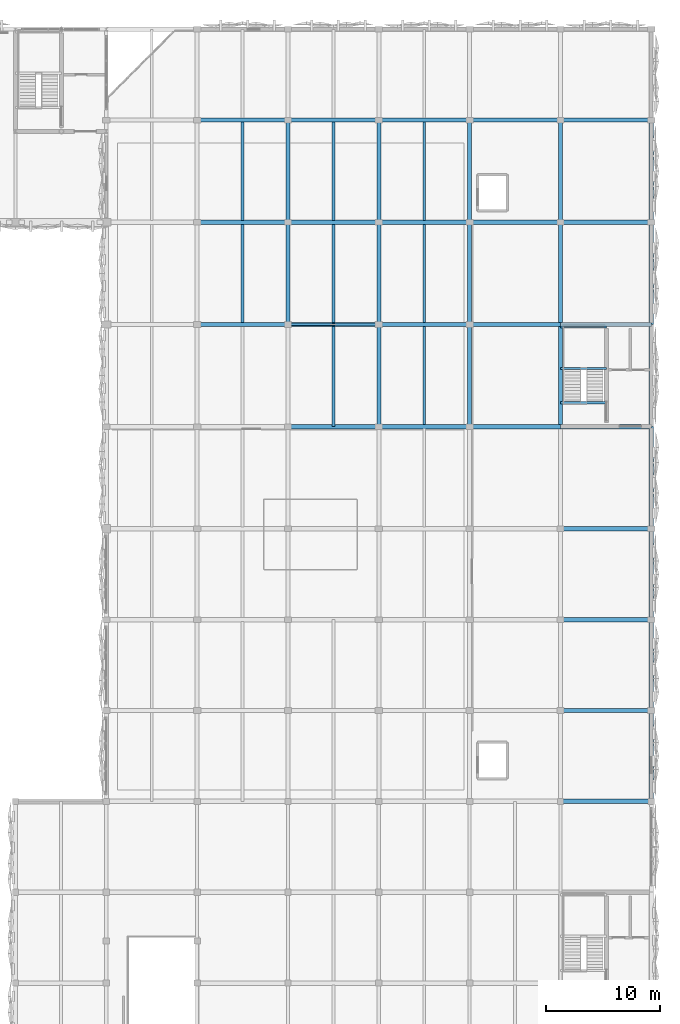
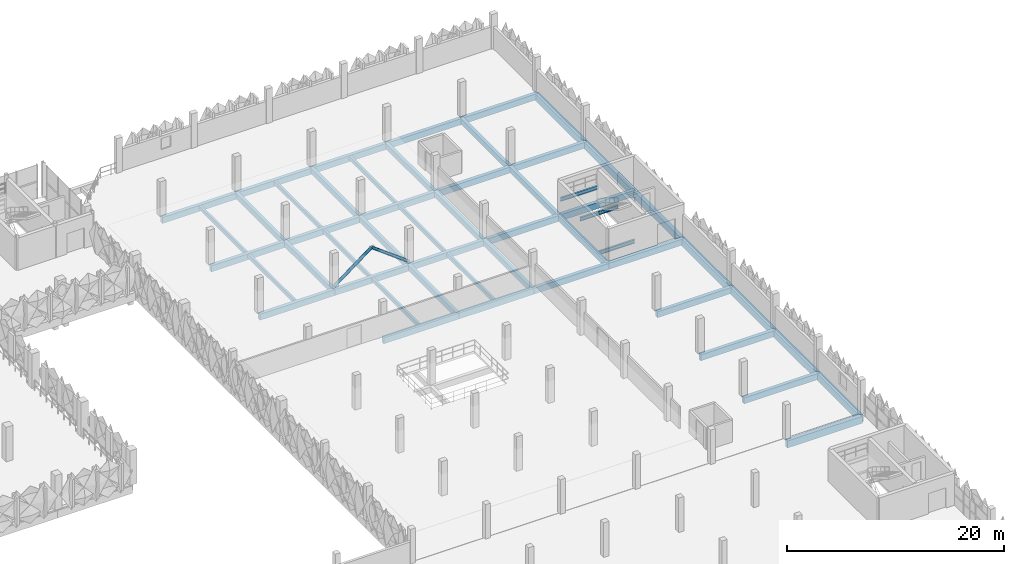
# One storey, part 25 of 83: 52 beams, 2 members.
"""IFC4 building model written with IfcOpenShell, lengths in metres."""

from ifc_helpers import new_model, si_unit, derived_unit, direction, frame, origin, origin_2d, place, context, subcontext, project, spatial, rectangle, hollow_circle, i_section, extrude, material, material_profile, profile_set, type_object, element, save


model = new_model("IFC4")

# Units and contexts
model_context = context("Model", 3, precision=1e-05, world=origin(), true_north=direction((0.0, 1.0)))
body_context = subcontext(model_context, "Body", "Model", "MODEL_VIEW")
ifc_project = project(units=[si_unit("LENGTHUNIT", "METRE"), si_unit("AREAUNIT", "SQUARE_METRE"), si_unit("VOLUMEUNIT", "CUBIC_METRE"), si_unit("PLANEANGLEUNIT", "RADIAN"), si_unit("MASSUNIT", "GRAM", prefix="KILO"), si_unit("THERMODYNAMICTEMPERATUREUNIT", "KELVIN"), derived_unit("THERMALTRANSMITTANCEUNIT", [(si_unit("POWERUNIT", "WATT"), 1), (si_unit("AREAUNIT", "SQUARE_METRE"), -1), (si_unit("THERMODYNAMICTEMPERATUREUNIT", "KELVIN"), -1)])], contexts=[model_context])

# Site, building, storey
site_placement = place(None, origin())
site = spatial("IfcSite", under=ifc_project, at=site_placement, CompositionType="ELEMENT")
building_placement = place(site_placement, origin())
building = spatial("IfcBuilding", under=site, at=building_placement, Name="Haiyu Intermodal Mobility Hub", CompositionType="ELEMENT")
storey_placement = place(building_placement, frame((0.0, 0.0, 13.39990234375)))
storey = spatial("IfcBuildingStorey", under=building, at=storey_placement, Name="L03", CompositionType="ELEMENT", Elevation=13.39990234375)

# Beams
ifc_material_1 = material(Name="Concrete C40", Category="concrete")
ifc_material_profile_1 = material_profile(ifc_material_1, rectangle(XDim=0.39990234375, YDim=0.800048828125, at=origin_2d()), Name="RCB400x800")
ifc_profile_set_1 = profile_set([ifc_material_profile_1], Name="Concrete C40")
beam_type_1 = type_object("IfcBeamType", Name="BM-CB05", PredefinedType="BEAM", material=ifc_profile_set_1)
for number, where, z_axis, x_axis, name in (
    (1, (202.0, 80.0, -0.659912109375), (1.0, 0.0, 0.0), (0.0, 1.0, 0.0), "BM-V5G-L03-062"),
    (2, (210.0, 80.0, -0.659912109375), (0.0, 1.0, 0.0), (-1.0, 0.0, 0.0), "BM-V6T-L03-049"),
    (3, (210.0, 88.0, -0.659912109375), (0.0, 1.0, 0.0), (-1.0, 0.0, 0.0), "BM-V6T-L03-050"),
    (4, (210.0, 96.0, -0.659912109375), (0.0, 1.0, 0.0), (-1.0, 0.0, 0.0), "BM-V6T-L03-051"),
):
    element("IfcBeam", number, at=place(storey_placement, frame(where, z_axis=z_axis, x_axis=x_axis)), inside=storey, type_object=beam_type_1, Name=name, PredefinedType="BEAM", context=body_context, shape_type="SweptSolid", body=[
        extrude(rectangle(XDim=0.39990234375, YDim=0.800048828125, at=origin_2d()), origin(), (0.0, 0.0, 1.0), 8.0),
    ])
for number, where, z_axis, x_axis, name in (
    (5, (210.0, 104.0, -0.659912109375), (0.0, 1.0, 0.0), (-1.0, 0.0, 0.0), "BM-V6T-L03-052"),
    (6, (210.0, 113.0, -0.659912109375), (0.0, 1.0, 0.0), (-1.0, 0.0, 0.0), "BM-V6T-L03-053"),
    (7, (210.0, 122.0, -0.659912109375), (0.0, 1.0, 0.0), (-1.0, 0.0, 0.0), "BM-V6T-L03-054"),
    (8, (210.0, 131.0, -0.659912109375), (0.0, 1.0, 0.0), (-1.0, 0.0, 0.0), "BM-V6T-L03-055"),
):
    element("IfcBeam", number, at=place(storey_placement, frame(where, z_axis=z_axis, x_axis=x_axis)), inside=storey, type_object=beam_type_1, Name=name, PredefinedType="BEAM", context=body_context, shape_type="SweptSolid", body=[
        extrude(rectangle(XDim=0.39990234375, YDim=0.800048828125, at=origin_2d()), origin(), (0.0, 0.0, 1.0), 9.0),
    ])
ifc_material_profile_2 = material_profile(ifc_material_1, rectangle(XDim=0.3798828125, YDim=0.679931640625, at=origin_2d()), Name="B380x680")
ifc_profile_set_2 = profile_set([ifc_material_profile_2], Name="Concrete C40")
beam_type_2 = type_object("IfcBeamType", Name="BM-CB15", PredefinedType="BEAM", material=ifc_profile_set_2)
for number, where, z_axis, x_axis, name in (
    (9, (202.0, 88.0, -0.599853515625), (1.0, 0.0, 0.0), (0.0, 1.0, 0.0), "BM-V6G-L03-012"),
    (10, (202.0, 96.0, -0.599853515625), (1.0, 0.0, 0.0), (0.0, 1.0, 0.0), "BM-V6G-L03-018"),
    (11, (202.0, 104.0, -0.599853515625), (1.0, 0.0, 0.0), (0.0, 1.0, 0.0), "BM-V6G-L03-024"),
    (12, (178.0, 113.0, -0.599853515625), (1.0, 0.0, 0.0), (0.0, 1.0, 0.0), "BM-V6G-L03-027"),
    (13, (186.0, 113.0, -0.599853515625), (1.0, 0.0, 0.0), (0.0, 1.0, 0.0), "BM-V6G-L03-028"),
    (14, (194.0, 113.0, -0.599853515625), (1.0, 0.0, 0.0), (0.0, 1.0, 0.0), "BM-V6G-L03-029"),
    (15, (202.0, 113.0, -0.599853515625), (1.0, 0.0, 0.0), (0.0, 1.0, 0.0), "BM-V6G-L03-030"),
    (16, (170.0, 122.0, -0.599853515625), (1.0, 0.0, 0.0), (0.0, 1.0, 0.0), "BM-V6G-L03-032"),
    (17, (178.0, 122.0, -0.599853515625), (1.0, 0.0, 0.0), (0.0, 1.0, 0.0), "BM-V6G-L03-033"),
    (18, (186.0, 122.0, -0.599853515625), (1.0, 0.0, 0.0), (0.0, 1.0, 0.0), "BM-V6G-L03-034"),
    (19, (194.0, 122.0, -0.599853515625), (1.0, 0.0, 0.0), (0.0, 1.0, 0.0), "BM-V6G-L03-035"),
    (20, (202.0, 122.0, -0.599853515625), (1.0, 0.0, 0.0), (0.0, 1.0, 0.0), "BM-V6G-L03-036"),
    (21, (170.0, 131.0, -0.599853515625), (1.0, 0.0, 0.0), (0.0, 1.0, 0.0), "BM-V6G-L03-038"),
    (22, (178.0, 131.0, -0.599853515625), (1.0, 0.0, 0.0), (0.0, 1.0, 0.0), "BM-V6G-L03-039"),
    (23, (186.0, 131.0, -0.599853515625), (1.0, 0.0, 0.0), (0.0, 1.0, 0.0), "BM-V6G-L03-040"),
    (24, (194.0, 131.0, -0.599853515625), (1.0, 0.0, 0.0), (0.0, 1.0, 0.0), "BM-V6G-L03-041"),
    (25, (202.0, 131.0, -0.599853515625), (1.0, 0.0, 0.0), (0.0, 1.0, 0.0), "BM-V6G-L03-042"),
    (26, (170.0, 140.0, -0.599853515625), (1.0, 0.0, 0.0), (0.0, 1.0, 0.0), "BM-V6G-L03-044"),
    (27, (178.0, 140.0, -0.599853515625), (1.0, 0.0, 0.0), (0.0, 1.0, 0.0), "BM-V6G-L03-045"),
    (28, (186.0, 140.0, -0.599853515625), (1.0, 0.0, 0.0), (0.0, 1.0, 0.0), "BM-V6G-L03-046"),
    (29, (194.0, 140.0, -0.599853515625), (1.0, 0.0, 0.0), (0.0, 1.0, 0.0), "BM-V6G-L03-047"),
    (30, (202.0, 140.0, -0.599853515625), (1.0, 0.0, 0.0), (0.0, 1.0, 0.0), "BM-V6G-L03-048"),
):
    element("IfcBeam", number, at=place(storey_placement, frame(where, z_axis=z_axis, x_axis=x_axis)), inside=storey, type_object=beam_type_2, Name=name, PredefinedType="BEAM", context=body_context, shape_type="SweptSolid", body=[
        extrude(rectangle(XDim=0.3798828125, YDim=0.679931640625, at=origin_2d()), origin(), (0.0, 0.0, 1.0), 8.0),
    ])
ifc_material_profile_3 = material_profile(ifc_material_1, rectangle(XDim=0.360107421875, YDim=0.6201171875, at=origin_2d()), Name="B360x620")
ifc_profile_set_3 = profile_set([ifc_material_profile_3], Name="Concrete C40")
beam_type_3 = type_object("IfcBeamType", Name="BM-CB16", PredefinedType="BEAM", material=ifc_profile_set_3)
for number, where, z_axis, x_axis, name in (
    (31, (178.0, 122.0, -0.56982421875), (0.0, 1.0, 0.0), (-1.0, 0.0, 0.0), "BM-V6T-L03-022"),
    (32, (178.0, 131.0, -0.56982421875), (0.0, 1.0, 0.0), (-1.0, 0.0, 0.0), "BM-V6T-L03-023"),
    (33, (186.0, 113.0, -0.56982421875), (0.0, 1.0, 0.0), (-1.0, 0.0, 0.0), "BM-V6T-L03-029"),
    (34, (186.0, 122.0, -0.56982421875), (0.0, 1.0, 0.0), (-1.0, 0.0, 0.0), "BM-V6T-L03-030"),
    (35, (186.0, 131.0, -0.56982421875), (0.0, 1.0, 0.0), (-1.0, 0.0, 0.0), "BM-V6T-L03-031"),
    (36, (194.0, 113.0, -0.56982421875), (0.0, 1.0, 0.0), (-1.0, 0.0, 0.0), "BM-V6T-L03-037"),
    (37, (194.0, 122.0, -0.56982421875), (0.0, 1.0, 0.0), (-1.0, 0.0, 0.0), "BM-V6T-L03-038"),
    (38, (194.0, 131.0, -0.56982421875), (0.0, 1.0, 0.0), (-1.0, 0.0, 0.0), "BM-V6T-L03-039"),
    (39, (202.0, 113.0, -0.56982421875), (0.0, 1.0, 0.0), (-1.0, 0.0, 0.0), "BM-V6T-L03-045"),
    (40, (202.0, 122.0, -0.56982421875), (0.0, 1.0, 0.0), (-1.0, 0.0, 0.0), "BM-V6T-L03-046"),
    (41, (202.0, 131.0, -0.56982421875), (0.0, 1.0, 0.0), (-1.0, 0.0, 0.0), "BM-V6T-L03-047"),
):
    element("IfcBeam", number, at=place(storey_placement, frame(where, z_axis=z_axis, x_axis=x_axis)), inside=storey, type_object=beam_type_3, Name=name, PredefinedType="BEAM", context=body_context, shape_type="SweptSolid", body=[
        extrude(rectangle(XDim=0.360107421875, YDim=0.6201171875, at=origin_2d()), origin(), (0.0, 0.0, 1.0), 9.0),
    ])
ifc_material_profile_4 = material_profile(ifc_material_1, rectangle(XDim=0.239990234375, YDim=0.43994140625, at=origin_2d()), Name="B240x440")
ifc_profile_set_4 = profile_set([ifc_material_profile_4], Name="Concrete C40")
beam_type_4 = type_object("IfcBeamType", Name="BM-CB19", PredefinedType="JOIST", material=ifc_profile_set_4)
for number, where, z_axis, x_axis, name in (
    (42, (174.0, 122.175048828125, -0.47998046875), (0.0, 1.0, 0.0), (-1.0, 0.0, 0.0), "BM-V6J-L03-014"),
    (43, (174.0, 131.175048828125, -0.47998046875), (0.0, 1.0, 0.0), (-1.0, 0.0, 0.0), "BM-V6J-L03-015"),
):
    element("IfcBeam", number, at=place(storey_placement, frame(where, z_axis=z_axis, x_axis=x_axis)), inside=storey, type_object=beam_type_4, Name=name, PredefinedType="JOIST", context=body_context, shape_type="SweptSolid", body=[
        extrude(rectangle(XDim=0.239990234375, YDim=0.43994140625, at=origin_2d()), origin(), (0.0, 0.0, 1.0), 8.64990234375),
    ])
beam_placement = place(storey_placement, frame((182.0, 113.0, -0.47998046875), z_axis=(0.0, 1.0, 0.0), x_axis=(-1.0, 0.0, 0.0)))
element("IfcBeam", 44, at=beam_placement, inside=storey, type_object=beam_type_4, Name="BM-V6J-L03-019", PredefinedType="JOIST", context=body_context, shape_type="SweptSolid", body=[
    extrude(rectangle(XDim=0.239990234375, YDim=0.43994140625, at=origin_2d()), origin(), (0.0, 0.0, 1.0), 8.824951171875),
])
for number, where, z_axis, x_axis, name in (
    (45, (182.0, 122.175048828125, -0.47998046875), (0.0, 1.0, 0.0), (-1.0, 0.0, 0.0), "BM-V6J-L03-020"),
    (46, (182.0, 131.175048828125, -0.47998046875), (0.0, 1.0, 0.0), (-1.0, 0.0, 0.0), "BM-V6J-L03-021"),
    (47, (190.0, 113.175048828125, -0.47998046875), (0.0, 1.0, 0.0), (-1.0, 0.0, 0.0), "BM-V6J-L03-027"),
    (48, (190.0, 122.175048828125, -0.47998046875), (0.0, 1.0, 0.0), (-1.0, 0.0, 0.0), "BM-V6J-L03-028"),
    (49, (190.0, 131.175048828125, -0.47998046875), (0.0, 1.0, 0.0), (-1.0, 0.0, 0.0), "BM-V6J-L03-029"),
):
    element("IfcBeam", number, at=place(storey_placement, frame(where, z_axis=z_axis, x_axis=x_axis)), inside=storey, type_object=beam_type_4, Name=name, PredefinedType="JOIST", context=body_context, shape_type="SweptSolid", body=[
        extrude(rectangle(XDim=0.239990234375, YDim=0.43994140625, at=origin_2d()), origin(), (0.0, 0.0, 1.0), 8.64990234375),
    ])
ifc_material_2 = material(Name="Steel Q355C", Category="steel")
ifc_material_profile_5 = material_profile(ifc_material_2, i_section(OverallWidth=0.199951171875, OverallDepth=0.39990234375, WebThickness=0.008056640625, FlangeThickness=0.012939453125, FilletRadius=0.01611328125, at=origin_2d()), Name="HN400x200x8x13")
ifc_profile_set_5 = profile_set([ifc_material_profile_5], Name="Steel Q355C")
beam_type_5 = type_object("IfcBeamType", Name="BM-SB08", PredefinedType="JOIST", material=ifc_profile_set_5)
for number, where, z_axis, x_axis, name in (
    (50, (202.0, 115.10009765625, -0.52490234375), (1.0, 0.0, 0.0), (0.0, 1.0, 0.0), "Stair Arrival Trimmer Beam C10-L02"),
    (51, (202.0, 118.1298828125, 1.525146484375), (1.0, 0.0, 0.0), (0.0, 1.0, 0.0), "Stair Half-Landing Front Beam C10-L03"),
    (52, (202.0, 121.780029296875, 1.525146484375), (1.0, 0.0, 0.0), (0.0, 1.0, 0.0), "Stair Half-Landing Rear Beam C10-L03"),
):
    element("IfcBeam", number, at=place(storey_placement, frame(where, z_axis=z_axis, x_axis=x_axis)), inside=storey, type_object=beam_type_5, Name=name, PredefinedType="JOIST", context=body_context, shape_type="SweptSolid", body=[
        extrude(i_section(OverallWidth=0.199951171875, OverallDepth=0.39990234375, WebThickness=0.008056640625, FlangeThickness=0.012939453125, FilletRadius=0.01611328125, at=origin_2d()), origin(), (0.0, 0.0, 1.0), 4.050048828125),
    ])

# Members
ifc_material_profile_6 = material_profile(ifc_material_2, hollow_circle(Radius=0.1494140625, WallThickness=0.010009765625, at=origin_2d()), Name="CHS299x10")
ifc_profile_set_6 = profile_set([ifc_material_profile_6], Name="Steel Q355C")
member_type = type_object("IfcMemberType", Name="MEM-BR02", PredefinedType="BRACE", material=ifc_profile_set_6)
for number, where, z_axis, x_axis, name in (
    (53, (178.0, 122.0, 0.0), (0.8, 0.0, 0.6), (0.0, 1.0, 0.0), "Seismic Chevron Brace B6-L03-A"),
    (54, (186.0, 122.0, 0.0), (-0.8, 0.0, 0.6), (0.0, -1.0, 0.0), "Seismic Chevron Brace B6-L03-B"),
):
    element("IfcMember", number, at=place(storey_placement, frame(where, z_axis=z_axis, x_axis=x_axis)), inside=storey, type_object=member_type, Name=name, PredefinedType="BRACE", context=body_context, shape_type="SweptSolid", body=[
        extrude(hollow_circle(Radius=0.1494140625, WallThickness=0.010009765625, at=origin_2d()), origin(), (0.0, 0.0, 1.0), 5.0),
    ])

save(model, "model.ifc")
